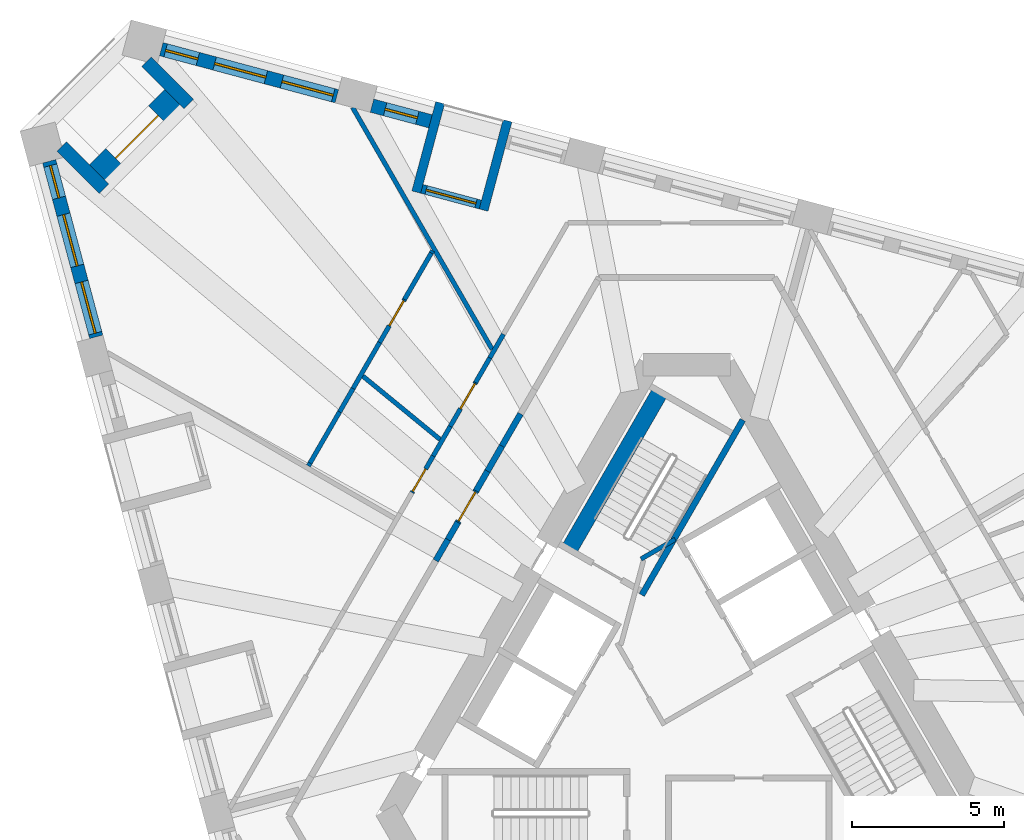
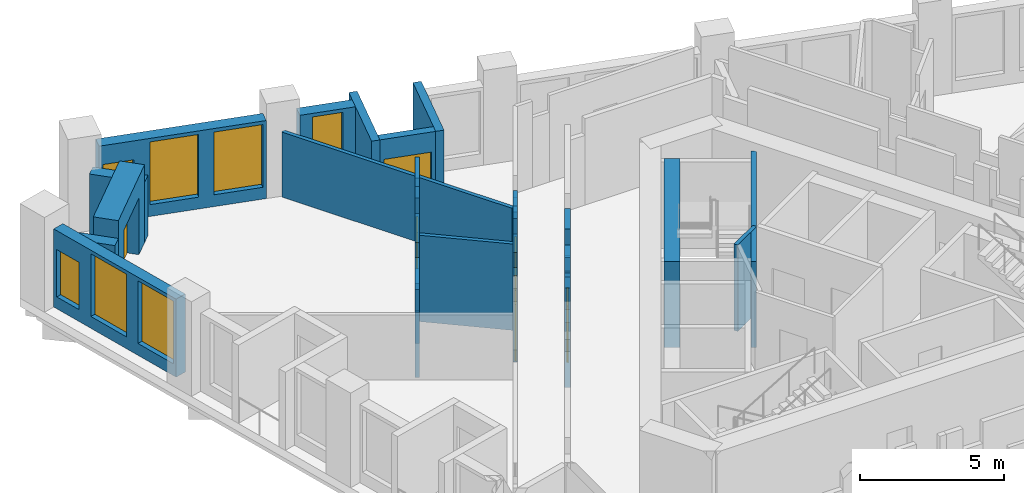
# One storey, part 7 of 13: 32 walls, 7 windows, 6 doors, 13 openings.
"""IFC4 building model written with IfcOpenShell, lengths in metres."""

from ifc_helpers import new_model, si_unit, direction, frame, frame_2d, origin, place, context, subcontext, project, spatial, polyline, rectangle, outline, extrude, material, layer, layer_set, type_object, element, fill, save


model = new_model("IFC4")

# Units and contexts
model_context = context("Model", 3, precision=1e-05, world=origin(), true_north=direction((0.0, 1.0)))
body_context = subcontext(model_context, "Body", "Model", "MODEL_VIEW")
ifc_project = project(units=[si_unit("LENGTHUNIT", "METRE"), si_unit("AREAUNIT", "SQUARE_METRE"), si_unit("VOLUMEUNIT", "CUBIC_METRE"), si_unit("PLANEANGLEUNIT", "RADIAN"), si_unit("MASSUNIT", "GRAM", prefix="KILO")], contexts=[model_context])

# Site, building, storey
site_placement = place(None, origin())
site = spatial("IfcSite", under=ifc_project, at=site_placement, CompositionType="ELEMENT")
building_placement = place(site_placement, origin())
building = spatial("IfcBuilding", under=site, at=building_placement, Name="Tramontana Tower", CompositionType="ELEMENT")
storey_placement = place(building_placement, frame((0.0, 0.0, 204.0)))
storey = spatial("IfcBuildingStorey", under=building, at=storey_placement, Name="L47", CompositionType="ELEMENT", Elevation=204.0)

# Walls
ifc_material_1 = material(Name="Blockwork", Category="masonry")
ifc_layer_1 = layer(ifc_material_1, 0.199951171875)
ifc_layer_set_1 = layer_set([ifc_layer_1], Name="ENTRY WALL 200")
wall_type_1 = type_object("IfcWallType", Name="ENTRY WALL 200", PredefinedType="SOLIDWALL", material=ifc_layer_set_1)
wall_1_placement = place(storey_placement, frame((-8.2783203125, 4.16162109375, 0.0), z_axis=(0.0, 0.0, 1.0), x_axis=(0.500109828528, 0.865961984968, 0.0)))
element("IfcWall", 1, at=wall_1_placement, inside=storey, type_object=wall_type_1, Name="Wall v50-ew4-5", PredefinedType="SOLIDWALL", context=body_context, shape_type="SweptSolid", body=[
    extrude(rectangle(XDim=0.800048828125, YDim=0.199951171875, at=frame_2d((0.39990234375, 0.0))), origin(), (0.0, 0.0, 1.0), 2.75),
])
wall_2_placement = place(storey_placement, frame((-7.878173828125, 4.8544921875, 0.0), z_axis=(0.0, 0.0, 1.0), x_axis=(0.499776065732, 0.866154653697, 0.0)))
element("IfcWall", 2, at=wall_2_placement, inside=storey, type_object=wall_type_1, Name="Wall v50-ew4-6", PredefinedType="SOLIDWALL", context=body_context, shape_type="SweptSolid", body=[
    extrude(rectangle(XDim=0.656982421875, YDim=0.199951171875, at=frame_2d((0.32861328125, 0.0))), origin(), (0.0, 0.0, 1.0), 3.64990234375),
])

# Wall, opening, door
wall_3_placement = place(storey_placement, frame((-7.5498046875, 5.423583984375, 0.0), z_axis=(0.0, 0.0, 1.0), x_axis=(0.500033551112, 0.866006032174, 0.0)))
wall_3 = element("IfcWall", 3, at=wall_3_placement, inside=storey, type_object=wall_type_1, Name="Wall v50-ew4-7", PredefinedType="SOLIDWALL", context=body_context, shape_type="SweptSolid", body=[
    extrude(outline(polyline([(0.0, 0.0), (1.2001953125, 0.0), (1.199951171875, 2.550048828125), (0.2666015625, 2.550048828125), (0.2666015625, 3.64990234375), (0.0, 3.64990234375), (0.0, 0.0)])), frame((0.0, 0.10009765625, 0.0), z_axis=(0.0, -1.0, 0.0), x_axis=(1.0, 0.0, 0.0)), (0.0, 0.0, 1.0), 0.199951171875),
])
opening_1_placement = place(wall_3_placement, frame((0.050048828125, 0.0, 0.0)))
opening_1 = element("IfcOpeningElement", 4, at=opening_1_placement, cuts=wall_3, Name="Opening B5A-22", PredefinedType="OPENING", context=body_context, shape_type="SweptSolid", body=[
    extrude(rectangle(XDim=1.10009765625, YDim=2.39990234375, at=frame_2d((0.550048828125, 1.199951171875))), frame((0.0, 0.10986328125, 0.0), z_axis=(0.0, -1.0, 0.0), x_axis=(1.0, 0.0, 0.0)), (0.0, 0.0, 1.0), 0.219970703125),
])
ifc_material_2 = material(Name="Painted timber", Category="wood")
door_type_1 = type_object("IfcDoorType", Name="DOOR ENTRY 1100", OperationType="SINGLE_SWING_LEFT", PredefinedType="DOOR", material=ifc_material_2)
door_1_placement = place(opening_1_placement, origin())
door_1 = element("IfcDoor", 5, at=door_1_placement, inside=storey, type_object=door_type_1, Name="Door B5A-22", OperationType="SINGLE_SWING_RIGHT", OverallHeight=2.39990234375, OverallWidth=1.10009765625, PredefinedType="DOOR", context=body_context, shape_type="SweptSolid", body=[
    extrude(rectangle(XDim=1.10009765625, YDim=2.39990234375, at=frame_2d((0.550048828125, 1.199951171875))), frame((0.0, 0.02490234375, 0.0), z_axis=(0.0, -1.0, 0.0), x_axis=(1.0, 0.0, 0.0)), (0.0, 0.0, 1.0), 0.050048828125),
])
fill(opening_1, door_1)

# Walls
wall_4_placement = place(storey_placement, frame((-6.94970703125, 6.462890625, 0.0), z_axis=(0.0, 0.0, 1.0), x_axis=(0.50020163859, 0.865908956387, 0.0)))
element("IfcWall", 6, at=wall_4_placement, inside=storey, type_object=wall_type_1, Name="Wall v50-ew4-8", PredefinedType="SOLIDWALL", context=body_context, shape_type="SweptSolid", body=[
    extrude(rectangle(XDim=0.749755859375, YDim=0.199951171875, at=frame_2d((0.375, 0.0))), origin(), (0.0, 0.0, 1.0), 3.64990234375),
])
wall_5_placement = place(storey_placement, frame((-6.57470703125, 7.112060546875, 0.0), z_axis=(0.0, 0.0, 1.0), x_axis=(0.499869636591, 0.866100656052, 0.0)))
element("IfcWall", 7, at=wall_5_placement, inside=storey, type_object=wall_type_1, Name="Wall v50-ew4-9", PredefinedType="SOLIDWALL", context=body_context, shape_type="SweptSolid", body=[
    extrude(rectangle(XDim=0.957275390625, YDim=0.199951171875, at=frame_2d((0.478515625, 0.0))), origin(), (0.0, 0.0, 1.0), 2.550048828125),
])
wall_6_placement = place(storey_placement, frame((-6.09619140625, 7.941162109375, 0.0), z_axis=(0.0, 0.0, 1.0), x_axis=(0.500055461028, 0.865993380977, 0.0)))
element("IfcWall", 8, at=wall_6_placement, inside=storey, type_object=wall_type_1, Name="Wall v50-ew4-10", PredefinedType="SOLIDWALL", context=body_context, shape_type="SweptSolid", body=[
    extrude(rectangle(XDim=1.226806640625, YDim=0.199951171875, at=frame_2d((0.61328125, 0.0))), origin(), (0.0, 0.0, 1.0), 3.64990234375),
])

# Wall, openings, windows
ifc_material_3 = material(Name="Precast concrete 60 MPa", Category="concrete")
ifc_layer_2 = layer(ifc_material_3, 0.449951171875)
ifc_layer_set_2 = layer_set([ifc_layer_2], Name="Precast concrete 60 MPa, 450 mm")
wall_type_2 = type_object("IfcWallType", Name="EW1 Stone-faced precast wall 450", PredefinedType="SOLIDWALL", material=ifc_layer_set_2)
wall_7_placement = place(storey_placement, frame((-21.027099609375, 17.3310546875, 0.0), z_axis=(0.0, 0.0, 1.0), x_axis=(0.258831089404, -0.965922598948, 0.0)))
wall_7 = element("IfcWall", 9, at=wall_7_placement, inside=storey, type_object=wall_type_2, Name="External wall L47 face 0 bay 1", PredefinedType="SOLIDWALL", context=body_context, shape_type="SweptSolid", body=[
    extrude(rectangle(XDim=5.994384765625, YDim=0.449951171875, at=frame_2d((2.9970703125, 0.0))), origin(), (0.0, 0.0, 1.0), 3.300048828125),
])
opening_2_placement = place(wall_7_placement, frame((0.14892578125, 0.0, 0.5)))
opening_2 = element("IfcOpeningElement", 10, at=opening_2_placement, cuts=wall_7, Name="Opening N2L", PredefinedType="OPENING", context=body_context, shape_type="SweptSolid", body=[
    extrude(rectangle(XDim=1.10009765625, YDim=2.0, at=frame_2d((0.550048828125, 1.0))), frame((0.0, 0.23486328125, 0.0), z_axis=(0.0, -1.0, 0.0), x_axis=(1.0, 0.0, 0.0)), (0.0, 0.0, 1.0), 0.469970703125),
])
opening_3_placement = place(wall_7_placement, frame((1.822021484375, 0.0, 0.5)))
opening_3 = element("IfcOpeningElement", 11, at=opening_3_placement, cuts=wall_7, Name="Opening M2", PredefinedType="OPENING", context=body_context, shape_type="SweptSolid", body=[
    extrude(rectangle(XDim=1.75, YDim=2.64990234375, at=frame_2d((0.875, 1.324951171875))), frame((0.0, 0.23486328125, 0.0), z_axis=(0.0, -1.0, 0.0), x_axis=(1.0, 0.0, 0.0)), (0.0, 0.0, 1.0), 0.469970703125),
])
opening_4_placement = place(wall_7_placement, frame((4.1201171875, 0.0, 0.5)))
opening_4 = element("IfcOpeningElement", 12, at=opening_4_placement, cuts=wall_7, Name="Opening M2", PredefinedType="OPENING", context=body_context, shape_type="SweptSolid", body=[
    extrude(rectangle(XDim=1.75, YDim=2.64990234375, at=frame_2d((0.875, 1.324951171875))), frame((0.0, 0.23486328125, 0.0), z_axis=(0.0, -1.0, 0.0), x_axis=(1.0, 0.0, 0.0)), (0.0, 0.0, 1.0), 0.469970703125),
])
ifc_material_4 = material(Name="Aluminum frame, double glazing unit", Category="aluminium")
window_type_1 = type_object("IfcWindowType", Name="M2 Window 1.75 x 2.65", PartitioningType="SINGLE_PANEL", PredefinedType="WINDOW", material=ifc_material_4)
window_1_placement = place(opening_3_placement, origin())
window_1 = element("IfcWindow", 13, at=window_1_placement, inside=storey, type_object=window_type_1, Name="Window M2 L47 face 0 module 2", OverallHeight=2.64990234375, OverallWidth=1.75, PartitioningType="SINGLE_PANEL", PredefinedType="WINDOW", context=body_context, shape_type="SweptSolid", body=[
    extrude(rectangle(XDim=1.75, YDim=2.64990234375, at=frame_2d((0.875, 1.324951171875))), frame((0.0, 0.030029296875, 0.0), z_axis=(0.0, -1.0, 0.0), x_axis=(1.0, 0.0, 0.0)), (0.0, 0.0, 1.0), 0.06005859375),
])
fill(opening_3, window_1)
window_2_placement = place(opening_4_placement, origin())
window_2 = element("IfcWindow", 14, at=window_2_placement, inside=storey, type_object=window_type_1, Name="Window M2 L47 face 0 module 3", OverallHeight=2.64990234375, OverallWidth=1.75, PartitioningType="SINGLE_PANEL", PredefinedType="WINDOW", context=body_context, shape_type="SweptSolid", body=[
    extrude(rectangle(XDim=1.75, YDim=2.64990234375, at=frame_2d((0.875, 1.324951171875))), frame((0.0, 0.030029296875, 0.0), z_axis=(0.0, -1.0, 0.0), x_axis=(1.0, 0.0, 0.0)), (0.0, 0.0, 1.0), 0.06005859375),
])
fill(opening_4, window_2)
ifc_material_5 = material(Name="Aluminum frame, double glazing unit", Category="aluminium")
window_type_2 = type_object("IfcWindowType", Name="N2L Window 1.1 x 2", PartitioningType="SINGLE_PANEL", PredefinedType="WINDOW", material=ifc_material_5)
window_3_placement = place(opening_2_placement, origin())
window_3 = element("IfcWindow", 15, at=window_3_placement, inside=storey, type_object=window_type_2, Name="Window N2L L47 face 0 module 1", OverallHeight=2.0, OverallWidth=1.10009765625, PartitioningType="SINGLE_PANEL", PredefinedType="WINDOW", context=body_context, shape_type="SweptSolid", body=[
    extrude(rectangle(XDim=1.10009765625, YDim=2.0, at=frame_2d((0.550048828125, 1.0))), frame((0.0, 0.030029296875, 0.0), z_axis=(0.0, -1.0, 0.0), x_axis=(1.0, 0.0, 0.0)), (0.0, 0.0, 1.0), 0.06005859375),
])
fill(opening_2, window_3)

# Wall, opening, window
wall_8_placement = place(storey_placement, frame((-8.451904296875, 18.64794921875, 0.0), z_axis=(0.0, 0.0, 1.0), x_axis=(-0.96593005298, 0.258803270362, 0.0)))
wall_8 = element("IfcWall", 16, at=wall_8_placement, inside=storey, type_object=wall_type_2, Name="External wall L47 face 2 bay 5", PredefinedType="SOLIDWALL", context=body_context, shape_type="SweptSolid", body=[
    extrude(rectangle(XDim=1.998046875, YDim=0.449951171875, at=frame_2d((0.9990234375, 0.0))), origin(), (0.0, 0.0, 1.0), 3.300048828125),
])
opening_5_placement = place(wall_8_placement, frame((0.448974609375, 0.0, 0.5)))
opening_5 = element("IfcOpeningElement", 17, at=opening_5_placement, cuts=wall_8, Name="Opening N2", PredefinedType="OPENING", context=body_context, shape_type="SweptSolid", body=[
    extrude(rectangle(XDim=1.10009765625, YDim=2.64990234375, at=frame_2d((0.550048828125, 1.324951171875))), frame((0.0, 0.23486328125, 0.0), z_axis=(0.0, -1.0, 0.0), x_axis=(1.0, 0.0, 0.0)), (0.0, 0.0, 1.0), 0.469970703125),
])
ifc_material_6 = material(Name="Aluminum frame, double glazing unit", Category="aluminium")
window_type_3 = type_object("IfcWindowType", Name="N2 Window 1.1 x 2.65", PartitioningType="SINGLE_PANEL", PredefinedType="WINDOW", material=ifc_material_6)
window_4_placement = place(opening_5_placement, origin())
window_4 = element("IfcWindow", 18, at=window_4_placement, inside=storey, type_object=window_type_3, Name="Window N2 L47 face 2 module 15", OverallHeight=2.64990234375, OverallWidth=1.10009765625, PartitioningType="SINGLE_PANEL", PredefinedType="WINDOW", context=body_context, shape_type="SweptSolid", body=[
    extrude(rectangle(XDim=1.10009765625, YDim=2.64990234375, at=frame_2d((0.550048828125, 1.324951171875))), frame((0.0, 0.030029296875, 0.0), z_axis=(0.0, -1.0, 0.0), x_axis=(1.0, 0.0, 0.0)), (0.0, 0.0, 1.0), 0.06005859375),
])
fill(opening_5, window_4)

# Wall, openings, windows
wall_9_placement = place(storey_placement, frame((-11.541015625, 19.4755859375, 0.0), z_axis=(0.0, 0.0, 1.0), x_axis=(-0.965922598948, 0.258831089404, 0.0)))
wall_9 = element("IfcWall", 19, at=wall_9_placement, inside=storey, type_object=wall_type_2, Name="External wall L47 face 2 bay 6", PredefinedType="SOLIDWALL", context=body_context, shape_type="SweptSolid", body=[
    extrude(rectangle(XDim=5.994384765625, YDim=0.449951171875, at=frame_2d((2.9970703125, 0.0))), origin(), (0.0, 0.0, 1.0), 3.300048828125),
])
opening_6_placement = place(wall_9_placement, frame((0.1240234375, 0.0, 0.5)))
opening_6 = element("IfcOpeningElement", 20, at=opening_6_placement, cuts=wall_9, Name="Opening M2", PredefinedType="OPENING", context=body_context, shape_type="SweptSolid", body=[
    extrude(rectangle(XDim=1.75, YDim=2.64990234375, at=frame_2d((0.875, 1.324951171875))), frame((0.0, 0.23486328125, 0.0), z_axis=(0.0, -1.0, 0.0), x_axis=(1.0, 0.0, 0.0)), (0.0, 0.0, 1.0), 0.469970703125),
])
opening_7_placement = place(wall_9_placement, frame((2.422119140625, 0.0, 0.5)))
opening_7 = element("IfcOpeningElement", 21, at=opening_7_placement, cuts=wall_9, Name="Opening M2", PredefinedType="OPENING", context=body_context, shape_type="SweptSolid", body=[
    extrude(rectangle(XDim=1.75, YDim=2.64990234375, at=frame_2d((0.875, 1.324951171875))), frame((0.0, 0.23486328125, 0.0), z_axis=(0.0, -1.0, 0.0), x_axis=(1.0, 0.0, 0.0)), (0.0, 0.0, 1.0), 0.469970703125),
])
opening_8_placement = place(wall_9_placement, frame((4.7451171875, 0.0, 0.5)))
opening_8 = element("IfcOpeningElement", 22, at=opening_8_placement, cuts=wall_9, Name="Opening N2L", PredefinedType="OPENING", context=body_context, shape_type="SweptSolid", body=[
    extrude(rectangle(XDim=1.10009765625, YDim=2.0, at=frame_2d((0.550048828125, 1.0))), frame((0.0, 0.23486328125, 0.0), z_axis=(0.0, -1.0, 0.0), x_axis=(1.0, 0.0, 0.0)), (0.0, 0.0, 1.0), 0.469970703125),
])
window_5_placement = place(opening_6_placement, origin())
window_5 = element("IfcWindow", 23, at=window_5_placement, inside=storey, type_object=window_type_1, Name="Window M2 L47 face 2 module 16", OverallHeight=2.64990234375, OverallWidth=1.75, PartitioningType="SINGLE_PANEL", PredefinedType="WINDOW", context=body_context, shape_type="SweptSolid", body=[
    extrude(rectangle(XDim=1.75, YDim=2.64990234375, at=frame_2d((0.875, 1.324951171875))), frame((0.0, 0.030029296875, 0.0), z_axis=(0.0, -1.0, 0.0), x_axis=(1.0, 0.0, 0.0)), (0.0, 0.0, 1.0), 0.06005859375),
])
fill(opening_6, window_5)
window_6_placement = place(opening_7_placement, origin())
window_6 = element("IfcWindow", 24, at=window_6_placement, inside=storey, type_object=window_type_1, Name="Window M2 L47 face 2 module 17", OverallHeight=2.64990234375, OverallWidth=1.75, PartitioningType="SINGLE_PANEL", PredefinedType="WINDOW", context=body_context, shape_type="SweptSolid", body=[
    extrude(rectangle(XDim=1.75, YDim=2.64990234375, at=frame_2d((0.875, 1.324951171875))), frame((0.0, 0.030029296875, 0.0), z_axis=(0.0, -1.0, 0.0), x_axis=(1.0, 0.0, 0.0)), (0.0, 0.0, 1.0), 0.06005859375),
])
fill(opening_7, window_6)
window_7_placement = place(opening_8_placement, origin())
window_7 = element("IfcWindow", 25, at=window_7_placement, inside=storey, type_object=window_type_2, Name="Window N2L L47 face 2 module 18", OverallHeight=2.0, OverallWidth=1.10009765625, PartitioningType="SINGLE_PANEL", PredefinedType="WINDOW", context=body_context, shape_type="SweptSolid", body=[
    extrude(rectangle(XDim=1.10009765625, YDim=2.0, at=frame_2d((0.550048828125, 1.0))), frame((0.0, 0.030029296875, 0.0), z_axis=(0.0, -1.0, 0.0), x_axis=(1.0, 0.0, 0.0)), (0.0, 0.0, 1.0), 0.06005859375),
])
fill(opening_8, window_7)

# Walls
for number, where, z_axis, x_axis, name in (
    (26, (-20.615234375, 17.822021484375, 0.0), (0.0, 0.0, 1.0), (0.70716845375, -0.707045103244, 0.0), "Corner loggia side wall L47 K50l"),
    (27, (-17.822021484375, 20.615234375, 0.0), (0.0, 0.0, 1.0), (0.707045103244, -0.70716845375, 0.0), "Corner loggia side wall L47 K50r"),
):
    element("IfcWall", number, at=place(storey_placement, frame(where, z_axis=z_axis, x_axis=x_axis)), inside=storey, type_object=wall_type_2, Name=name, PredefinedType="SOLIDWALL", context=body_context, shape_type="SweptSolid", body=[
        extrude(rectangle(XDim=1.979248046875, YDim=0.449951171875, at=frame_2d((0.98974609375, 0.0))), origin(), (0.0, 0.0, 1.0), 2.550048828125),
    ])

# Wall, opening, door
ifc_material_7 = material(Name="Precast concrete 60 MPa", Category="concrete")
ifc_layer_3 = layer(ifc_material_7, 0.89990234375)
ifc_layer_set_3 = layer_set([ifc_layer_3], Name="EW2 Stone-faced corner loggia wall 900")
wall_type_3 = type_object("IfcWallType", Name="EW2 Stone-faced corner loggia wall 900", PredefinedType="SOLIDWALL", material=ifc_layer_set_3)
wall_10_placement = place(storey_placement, frame((-19.374755859375, 16.89990234375, 0.0), z_axis=(0.0, 0.0, 1.0), x_axis=(0.707106781187, 0.707106781187, 0.0)))
wall_10 = element("IfcWall", 28, at=wall_10_placement, inside=storey, type_object=wall_type_3, Name="Corner loggia wall L47 K50", PredefinedType="SOLIDWALL", context=body_context, shape_type="SweptSolid", body=[
    extrude(rectangle(XDim=3.5, YDim=0.89990234375, at=frame_2d((1.75, 0.0))), origin(), (0.0, 0.0, 1.0), 3.300048828125),
])
opening_9_placement = place(wall_10_placement, frame((0.75, 0.0, 0.0)))
opening_9 = element("IfcOpeningElement", 29, at=opening_9_placement, cuts=wall_10, Name="Opening BD-50C", PredefinedType="OPENING", context=body_context, shape_type="SweptSolid", body=[
    extrude(rectangle(XDim=2.0, YDim=2.39990234375, at=frame_2d((1.0, 1.199951171875))), frame((0.0, 0.4599609375, 0.0), z_axis=(0.0, -1.0, 0.0), x_axis=(1.0, 0.0, 0.0)), (0.0, 0.0, 1.0), 0.919921875),
])
ifc_material_8 = material(Name="Aluminum frame, double glazing unit", Category="aluminium")
door_type_2 = type_object("IfcDoorType", Name="BC1 Sliding door 2 x 2.4", OperationType="SLIDING_TO_LEFT", PredefinedType="DOOR", material=ifc_material_8)
door_2_placement = place(opening_9_placement, origin())
door_2 = element("IfcDoor", 30, at=door_2_placement, inside=storey, type_object=door_type_2, Name="Corner loggia door L47 K50", OperationType="SLIDING_TO_LEFT", OverallHeight=2.39990234375, OverallWidth=2.0, PredefinedType="DOOR", context=body_context, shape_type="SweptSolid", body=[
    extrude(rectangle(XDim=2.0, YDim=2.39990234375, at=frame_2d((1.0, 1.199951171875))), frame((0.0, 0.02490234375, 0.0), z_axis=(0.0, -1.0, 0.0), x_axis=(1.0, 0.0, 0.0)), (0.0, 0.0, 1.0), 0.050048828125),
])
fill(opening_9, door_2)

ifc_material_9 = material(Name="Precast concrete 60 MPa", Category="concrete")
ifc_layer_4 = layer(ifc_material_9, 0.300048828125)
ifc_layer_set_4 = layer_set([ifc_layer_4], Name="LW1 Stone-faced loggia wall 300")
wall_type_4 = type_object("IfcWallType", Name="LW1 Stone-faced loggia wall 300", PredefinedType="SOLIDWALL", material=ifc_layer_set_4)
wall_11_placement = place(storey_placement, frame((-6.80810546875, 15.904052734375, 0.0), z_axis=(0.0, 0.0, 1.0), x_axis=(-0.96593005298, 0.258803270362, 0.0)))
wall_11 = element("IfcWall", 31, at=wall_11_placement, inside=storey, type_object=wall_type_4, Name="Loggia wall L47 G5S2.13", PredefinedType="SOLIDWALL", context=body_context, shape_type="SweptSolid", body=[
    extrude(rectangle(XDim=1.998046875, YDim=0.300048828125, at=frame_2d((0.9990234375, 0.0))), origin(), (0.0, 0.0, 1.0), 3.300048828125),
])
opening_10_placement = place(wall_11_placement, frame((0.14892578125, 0.0, 0.0)))
opening_10 = element("IfcOpeningElement", 32, at=opening_10_placement, cuts=wall_11, Name="Opening BD-5S2-13", PredefinedType="OPENING", context=body_context, shape_type="SweptSolid", body=[
    extrude(rectangle(XDim=1.699951171875, YDim=2.449951171875, at=frame_2d((0.85009765625, 1.22509765625))), frame((0.0, 0.159912109375, 0.0), z_axis=(0.0, -1.0, 0.0), x_axis=(1.0, 0.0, 0.0)), (0.0, 0.0, 1.0), 0.320068359375),
])
ifc_material_10 = material(Name="Aluminum frame, double glazing unit", Category="aluminium")
door_type_3 = type_object("IfcDoorType", Name="BD2 Sliding door 1.7 x 2.45", OperationType="SLIDING_TO_LEFT", PredefinedType="DOOR", material=ifc_material_10)
door_3_placement = place(opening_10_placement, origin())
door_3 = element("IfcDoor", 33, at=door_3_placement, inside=storey, type_object=door_type_3, Name="Loggia door L47 G5S2.13", OperationType="SLIDING_TO_LEFT", OverallHeight=2.449951171875, OverallWidth=1.699951171875, PredefinedType="DOOR", context=body_context, shape_type="SweptSolid", body=[
    extrude(rectangle(XDim=1.699951171875, YDim=2.449951171875, at=frame_2d((0.85009765625, 1.22509765625))), frame((0.0, 0.02490234375, 0.0), z_axis=(0.0, -1.0, 0.0), x_axis=(1.0, 0.0, 0.0)), (0.0, 0.0, 1.0), 0.050048828125),
])
fill(opening_10, door_3)

# Walls
wall_12_placement = place(storey_placement, frame((-5.91259765625, 18.666259765625, 0.0), z_axis=(0.0, 0.0, 1.0), x_axis=(-0.258793435045, -0.965932688119, 0.0)))
element("IfcWall", 34, at=wall_12_placement, inside=storey, type_object=wall_type_4, Name="Loggia return L47 G5S2.13a", PredefinedType="SOLIDWALL", context=body_context, shape_type="SweptSolid", body=[
    extrude(rectangle(XDim=3.050048828125, YDim=0.300048828125, at=frame_2d((1.52490234375, 0.0))), origin(), (0.0, 0.0, 1.0), 3.300048828125),
])
wall_13_placement = place(storey_placement, frame((-8.13232421875, 19.26123046875, 0.0), z_axis=(0.0, 0.0, 1.0), x_axis=(-0.25877342651, -0.9659380486, 0.0)))
element("IfcWall", 35, at=wall_13_placement, inside=storey, type_object=wall_type_4, Name="Loggia return L47 G5S2.13b", PredefinedType="SOLIDWALL", context=body_context, shape_type="SweptSolid", body=[
    extrude(rectangle(XDim=3.05029296875, YDim=0.300048828125, at=frame_2d((1.525146484375, 0.0))), origin(), (0.0, 0.0, 1.0), 3.300048828125),
])
ifc_material_11 = material(Name="Gypsum board partition")
ifc_layer_5 = layer(ifc_material_11, 0.14990234375)
ifc_layer_set_5 = layer_set([ifc_layer_5], Name="PARTITION 150")
wall_type_5 = type_object("IfcWallType", Name="PARTITION 150", PredefinedType="PARTITIONING", material=ifc_layer_set_5)
wall_14_placement = place(storey_placement, frame((-1.509765625, 4.21484375, 0.0), z_axis=(0.0, 0.0, 1.0), x_axis=(0.866085525409, 0.49989585183, 0.0)))
element("IfcWall", 36, at=wall_14_placement, inside=storey, type_object=wall_type_5, Name="Wall ff-end1", PredefinedType="PARTITIONING", context=body_context, shape_type="SweptSolid", body=[
    extrude(rectangle(XDim=1.300048828125, YDim=0.14990234375, at=frame_2d((0.64990234375, 0.0))), origin(), (0.0, 0.0, 1.0), 3.64990234375),
])

# Wall, opening, door
wall_15_placement = place(storey_placement, frame((-9.062744140625, 6.40283203125, 0.0), z_axis=(0.0, 0.0, 1.0), x_axis=(0.500030071784, 0.866008041136, 0.0)))
wall_15 = element("IfcWall", 37, at=wall_15_placement, inside=storey, type_object=wall_type_5, Name="Wall v50-pw00-6", PredefinedType="PARTITIONING", context=body_context, shape_type="SweptSolid", body=[
    extrude(outline(polyline([(0.0, 0.0), (1.39697265625, 0.0), (1.39697265625, 2.550048828125), (0.508056640625, 2.550048828125), (0.508056640625, 3.64990234375), (0.0, 3.64990234375), (0.0, 0.0)])), frame((0.0, 0.074951171875, 0.0), z_axis=(0.0, -1.0, 0.0), x_axis=(1.0, 0.0, 0.0)), (0.0, 0.0, 1.0), 0.14990234375),
])
opening_11_placement = place(wall_15_placement, frame((0.050048828125, 0.0, 0.0)))
opening_11 = element("IfcOpeningElement", 38, at=opening_11_placement, cuts=wall_15, Name="Opening B5A-02", PredefinedType="OPENING", context=body_context, shape_type="SweptSolid", body=[
    extrude(rectangle(XDim=0.85009765625, YDim=2.39990234375, at=frame_2d((0.425048828125, 1.199951171875))), frame((0.0, 0.0849609375, 0.0), z_axis=(0.0, -1.0, 0.0), x_axis=(1.0, 0.0, 0.0)), (0.0, 0.0, 1.0), 0.169921875),
])
ifc_material_12 = material(Name="Painted timber", Category="wood")
door_type_4 = type_object("IfcDoorType", Name="DOOR BATH 850", OperationType="SINGLE_SWING_LEFT", PredefinedType="DOOR", material=ifc_material_12)
door_4_placement = place(opening_11_placement, origin())
door_4 = element("IfcDoor", 39, at=door_4_placement, inside=storey, type_object=door_type_4, Name="Door B5A-02", OperationType="SINGLE_SWING_RIGHT", OverallHeight=2.39990234375, OverallWidth=0.85009765625, PredefinedType="DOOR", context=body_context, shape_type="SweptSolid", body=[
    extrude(rectangle(XDim=0.85009765625, YDim=2.39990234375, at=frame_2d((0.425048828125, 1.199951171875))), frame((0.0, 0.02490234375, 0.0), z_axis=(0.0, -1.0, 0.0), x_axis=(1.0, 0.0, 0.0)), (0.0, 0.0, 1.0), 0.050048828125),
])
fill(opening_11, door_4)

# Wall
wall_16_placement = place(storey_placement, frame((-8.3642578125, 7.612548828125, 0.0), z_axis=(0.0, 0.0, 1.0), x_axis=(0.499891270366, 0.866088169768, 0.0)))
element("IfcWall", 40, at=wall_16_placement, inside=storey, type_object=wall_type_5, Name="Wall v50-pw00-7", PredefinedType="PARTITIONING", context=body_context, shape_type="SweptSolid", body=[
    extrude(rectangle(XDim=1.126708984375, YDim=0.14990234375, at=frame_2d((0.5634765625, 0.0))), origin(), (0.0, 0.0, 1.0), 3.64990234375),
])

# Wall, opening, door
wall_17_placement = place(storey_placement, frame((-7.801025390625, 8.58837890625, 0.0), z_axis=(0.0, 0.0, 1.0), x_axis=(0.500017322015, 0.866015402684, 0.0)))
wall_17 = element("IfcWall", 41, at=wall_17_placement, inside=storey, type_object=wall_type_5, Name="Wall v50-pw00-8", PredefinedType="PARTITIONING", context=body_context, shape_type="SweptSolid", body=[
    extrude(outline(polyline([(0.0, 0.0), (1.67236328125, 0.0), (1.672607421875, 3.64990234375), (0.9306640625, 3.64990234375), (0.9306640625, 2.550048828125), (0.0, 2.550048828125), (0.0, 0.0)])), frame((0.0, 0.074951171875, 0.0), z_axis=(0.0, -1.0, 0.0), x_axis=(1.0, 0.0, 0.0)), (0.0, 0.0, 1.0), 0.14990234375),
])
opening_12_placement = place(wall_17_placement, frame((0.672607421875, 0.0, 0.0)))
opening_12 = element("IfcOpeningElement", 42, at=opening_12_placement, cuts=wall_17, Name="Opening B5A-01", PredefinedType="OPENING", context=body_context, shape_type="SweptSolid", body=[
    extrude(rectangle(XDim=0.949951171875, YDim=2.39990234375, at=frame_2d((0.47509765625, 1.199951171875))), frame((0.0, 0.0849609375, 0.0), z_axis=(0.0, -1.0, 0.0), x_axis=(1.0, 0.0, 0.0)), (0.0, 0.0, 1.0), 0.169921875),
])
ifc_material_13 = material(Name="Painted timber", Category="wood")
door_type_5 = type_object("IfcDoorType", Name="DOOR ROOM 950", OperationType="SINGLE_SWING_LEFT", PredefinedType="DOOR", material=ifc_material_13)
door_5_placement = place(opening_12_placement, origin())
door_5 = element("IfcDoor", 43, at=door_5_placement, inside=storey, type_object=door_type_5, Name="Door B5A-01", OperationType="SINGLE_SWING_LEFT", OverallHeight=2.39990234375, OverallWidth=0.949951171875, PredefinedType="DOOR", context=body_context, shape_type="SweptSolid", body=[
    extrude(rectangle(XDim=0.949951171875, YDim=2.39990234375, at=frame_2d((0.47509765625, 1.199951171875))), frame((0.0, 0.02490234375, 0.0), z_axis=(0.0, -1.0, 0.0), x_axis=(1.0, 0.0, 0.0)), (0.0, 0.0, 1.0), 0.050048828125),
])
fill(opening_12, door_5)

# Walls
wall_18_placement = place(storey_placement, frame((-6.96484375, 10.03662109375, 0.0), z_axis=(0.0, 0.0, 1.0), x_axis=(0.499955859829, 0.866050886624, 0.0)))
element("IfcWall", 44, at=wall_18_placement, inside=storey, type_object=wall_type_5, Name="Wall v50-pw00-9", PredefinedType="PARTITIONING", context=body_context, shape_type="SweptSolid", body=[
    extrude(rectangle(XDim=0.935546875, YDim=0.14990234375, at=frame_2d((0.4677734375, 0.0))), origin(), (0.0, 0.0, 1.0), 3.64990234375),
])
wall_19_placement = place(storey_placement, frame((-6.4970703125, 10.846923828125, 0.0), z_axis=(0.0, 0.0, 1.0), x_axis=(0.500065807255, 0.865987406614, 0.0)))
element("IfcWall", 45, at=wall_19_placement, inside=storey, type_object=wall_type_5, Name="Wall v50-pw00-10", PredefinedType="PARTITIONING", context=body_context, shape_type="SweptSolid", body=[
    extrude(rectangle(XDim=0.90283203125, YDim=0.14990234375, at=frame_2d((0.451416015625, 0.0))), origin(), (0.0, 0.0, 1.0), 2.75),
])
wall_20_placement = place(storey_placement, frame((-12.479248046875, 7.285400390625, 0.0), z_axis=(0.0, 0.0, 1.0), x_axis=(0.499327634179, 0.86641324652, 0.0)))
element("IfcWall", 46, at=wall_20_placement, inside=storey, type_object=wall_type_5, Name="Wall v50-pw02-0", PredefinedType="PARTITIONING", context=body_context, shape_type="SweptSolid", body=[
    extrude(rectangle(XDim=0.107177734375, YDim=0.14990234375, at=frame_2d((0.0537109375, 0.0))), origin(), (0.0, 0.0, 1.0), 2.75),
])
wall_21_placement = place(storey_placement, frame((-12.42578125, 7.378173828125, 0.0), z_axis=(0.0, 0.0, 1.0), x_axis=(0.500098182527, 0.865968710655, 0.0)))
element("IfcWall", 47, at=wall_21_placement, inside=storey, type_object=wall_type_5, Name="Wall v50-pw02-1", PredefinedType="PARTITIONING", context=body_context, shape_type="SweptSolid", body=[
    extrude(rectangle(XDim=1.94970703125, YDim=0.14990234375, at=frame_2d((0.974853515625, 0.0))), origin(), (0.0, 0.0, 1.0), 3.64990234375),
])
wall_22_placement = place(storey_placement, frame((-11.45068359375, 9.066650390625, 0.0), z_axis=(0.0, 0.0, 1.0), x_axis=(0.499920601425, 0.866071239721, 0.0)))
element("IfcWall", 48, at=wall_22_placement, inside=storey, type_object=wall_type_5, Name="Wall v50-pw02-2", PredefinedType="PARTITIONING", context=body_context, shape_type="SweptSolid", body=[
    extrude(rectangle(XDim=0.888916015625, YDim=0.14990234375, at=frame_2d((0.4443359375, 0.0))), origin(), (0.0, 0.0, 1.0), 2.550048828125),
])
wall_23_placement = place(storey_placement, frame((-11.00634765625, 9.83642578125, 0.0), z_axis=(0.0, 0.0, 1.0), x_axis=(0.500047902311, 0.865997745606, 0.0)))
element("IfcWall", 49, at=wall_23_placement, inside=storey, type_object=wall_type_5, Name="Wall v50-pw02-3", PredefinedType="PARTITIONING", context=body_context, shape_type="SweptSolid", body=[
    extrude(rectangle(XDim=1.753173828125, YDim=0.14990234375, at=frame_2d((0.87646484375, 0.0))), origin(), (0.0, 0.0, 1.0), 3.64990234375),
])

# Wall, opening, door
wall_24_placement = place(storey_placement, frame((-10.129638671875, 11.354736328125, 0.0), z_axis=(0.0, 0.0, 1.0), x_axis=(0.49996740399, 0.866044222282, 0.0)))
wall_24 = element("IfcWall", 50, at=wall_24_placement, inside=storey, type_object=wall_type_5, Name="Wall v50-pw02-4", PredefinedType="PARTITIONING", context=body_context, shape_type="SweptSolid", body=[
    extrude(outline(polyline([(0.0, 0.0), (1.63916015625, 0.0), (1.63916015625, 3.64990234375), (0.9306640625, 3.64990234375), (0.9306640625, 2.550048828125), (0.0, 2.550048828125), (0.0, 0.0)])), frame((0.0, 0.074951171875, 0.0), z_axis=(0.0, -1.0, 0.0), x_axis=(1.0, 0.0, 0.0)), (0.0, 0.0, 1.0), 0.14990234375),
])
opening_13_placement = place(wall_24_placement, frame((0.63916015625, 0.0, 0.0)))
opening_13 = element("IfcOpeningElement", 51, at=opening_13_placement, cuts=wall_24, Name="Opening B5A-17", PredefinedType="OPENING", context=body_context, shape_type="SweptSolid", body=[
    extrude(rectangle(XDim=0.949951171875, YDim=2.39990234375, at=frame_2d((0.47509765625, 1.199951171875))), frame((0.0, 0.0849609375, 0.0), z_axis=(0.0, -1.0, 0.0), x_axis=(1.0, 0.0, 0.0)), (0.0, 0.0, 1.0), 0.169921875),
])
door_6_placement = place(opening_13_placement, origin())
door_6 = element("IfcDoor", 52, at=door_6_placement, inside=storey, type_object=door_type_5, Name="Door B5A-17", OperationType="SINGLE_SWING_LEFT", OverallHeight=2.39990234375, OverallWidth=0.949951171875, PredefinedType="DOOR", context=body_context, shape_type="SweptSolid", body=[
    extrude(rectangle(XDim=0.949951171875, YDim=2.39990234375, at=frame_2d((0.47509765625, 1.199951171875))), frame((0.0, 0.02490234375, 0.0), z_axis=(0.0, -1.0, 0.0), x_axis=(1.0, 0.0, 0.0)), (0.0, 0.0, 1.0), 0.050048828125),
])
fill(opening_13, door_6)

# Walls
wall_25_placement = place(storey_placement, frame((-9.31005859375, 12.7744140625, 0.0), z_axis=(0.0, 0.0, 1.0), x_axis=(0.50001746176, 0.866015321998, 0.0)))
element("IfcWall", 53, at=wall_25_placement, inside=storey, type_object=wall_type_5, Name="Wall v50-pw02-5", PredefinedType="PARTITIONING", context=body_context, shape_type="SweptSolid", body=[
    extrude(rectangle(XDim=1.76708984375, YDim=0.14990234375, at=frame_2d((0.883544921875, 0.0))), origin(), (0.0, 0.0, 1.0), 3.64990234375),
])
wall_26_placement = place(storey_placement, frame((-8.426513671875, 14.3046875, 0.0), z_axis=(0.0, 0.0, 1.0), x_axis=(0.498523158552, 0.86687638126, 0.0)))
element("IfcWall", 54, at=wall_26_placement, inside=storey, type_object=wall_type_5, Name="Wall v50-pw02-6", PredefinedType="PARTITIONING", context=body_context, shape_type="SweptSolid", body=[
    extrude(rectangle(XDim=0.088134765625, YDim=0.14990234375, at=frame_2d((0.0439453125, 0.0))), origin(), (0.0, 0.0, 1.0), 2.75),
])
wall_27_placement = place(storey_placement, frame((-11.019775390625, 19.10302734375, 0.0), z_axis=(0.0, 0.0, 1.0), x_axis=(0.499688011829, -0.866205455325, 0.0)))
element("IfcWall", 55, at=wall_27_placement, inside=storey, type_object=wall_type_5, Name="Wall v50-pw05-0", PredefinedType="PARTITIONING", context=body_context, shape_type="SweptSolid", body=[
    extrude(rectangle(XDim=9.205078125, YDim=0.14990234375, at=frame_2d((4.6025390625, 0.0))), origin(), (0.0, 0.0, 1.0), 2.75),
])
wall_28_placement = place(storey_placement, frame((-8.136474609375, 8.1572265625, 0.0), z_axis=(0.0, 0.0, 1.0), x_axis=(-0.773342654389, 0.633988279784, 0.0)))
element("IfcWall", 56, at=wall_28_placement, inside=storey, type_object=wall_type_5, Name="Wall v50-pw07", PredefinedType="PARTITIONING", context=body_context, shape_type="SweptSolid", body=[
    extrude(rectangle(XDim=3.293701171875, YDim=0.14990234375, at=frame_2d((1.64697265625, 0.0))), origin(), (0.0, 0.0, 1.0), 3.64990234375),
])
ifc_material_14 = material(Name="Concrete 70 MPa", Category="concrete")
ifc_layer_6 = layer(ifc_material_14, 0.550048828125)
ifc_layer_set_6 = layer_set([ifc_layer_6], Name="Concrete 70 MPa, 550 mm")
wall_type_6 = type_object("IfcWallType", Name="RC SHAFT BACK WALL 550", PredefinedType="SOLIDWALL", material=ifc_layer_set_6)
wall_29_placement = place(storey_placement, frame((-0.831298828125, 9.81005859375, 0.0), z_axis=(0.0, 0.0, 1.0), x_axis=(-0.500009909098, -0.866019682689, 0.0)))
element("IfcWall", 57, at=wall_29_placement, inside=storey, type_object=wall_type_6, Name="Wall st1-back", PredefinedType="SOLIDWALL", context=body_context, shape_type="SweptSolid", body=[
    extrude(rectangle(XDim=6.199951171875, YDim=0.550048828125, at=frame_2d((3.10009765625, 0.0))), origin(), (0.0, 0.0, 1.0), 3.64990234375),
])
ifc_material_15 = material(Name="Concrete 70 MPa", Category="concrete")
ifc_layer_7 = layer(ifc_material_15, 0.199951171875)
ifc_layer_set_7 = layer_set([ifc_layer_7], Name="Concrete 70 MPa, 200 mm")
wall_type_7 = type_object("IfcWallType", Name="RC STAIR AND SHAFT WALL 200", PredefinedType="SOLIDWALL", material=ifc_layer_set_7)
wall_30_placement = place(storey_placement, frame((1.847412109375, 8.800048828125, 0.0), z_axis=(0.0, 0.0, 1.0), x_axis=(-0.499980354584, -0.866036745774, 0.0)))
element("IfcWall", 58, at=wall_30_placement, inside=storey, type_object=wall_type_7, Name="Wall st1-front", PredefinedType="SOLIDWALL", context=body_context, shape_type="SweptSolid", body=[
    extrude(rectangle(XDim=6.664794921875, YDim=0.199951171875, at=frame_2d((3.33251953125, 0.0))), origin(), (0.0, 0.0, 1.0), 3.64990234375),
])

save(model, "model.ifc")
